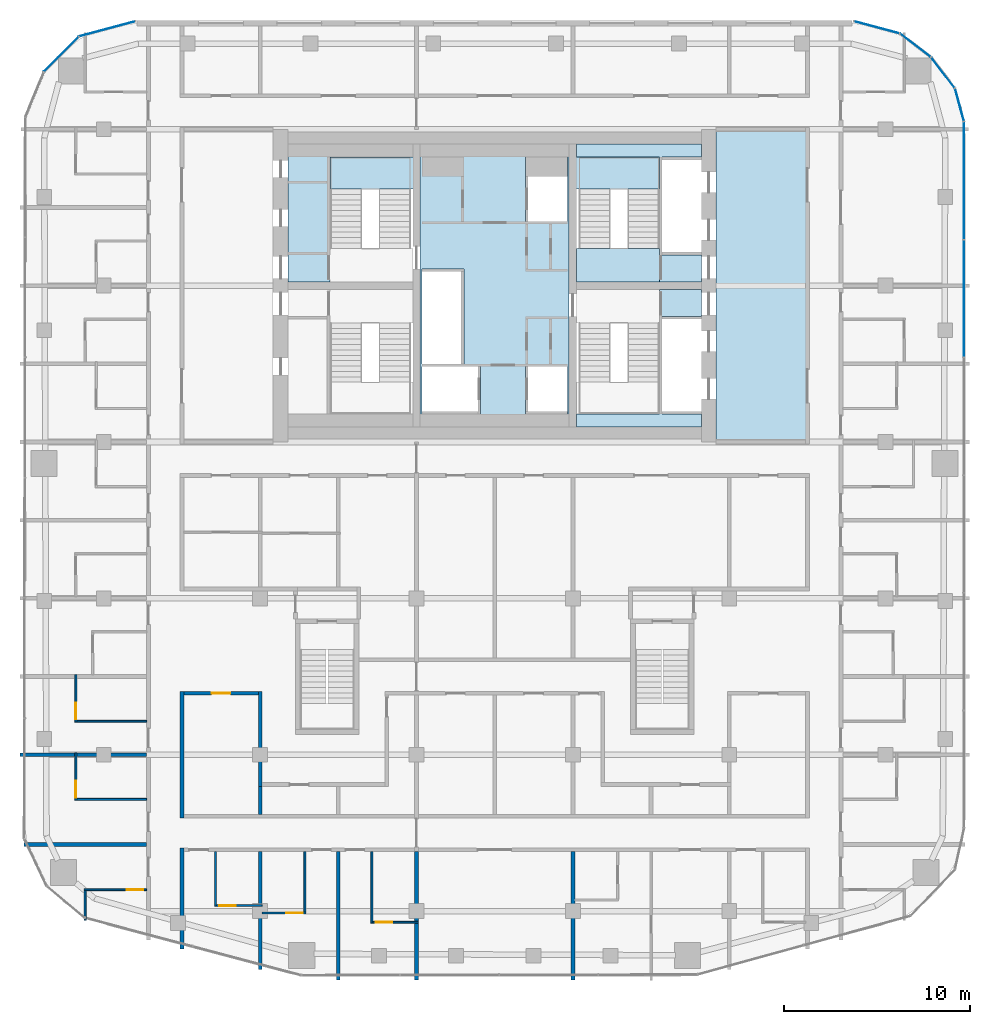
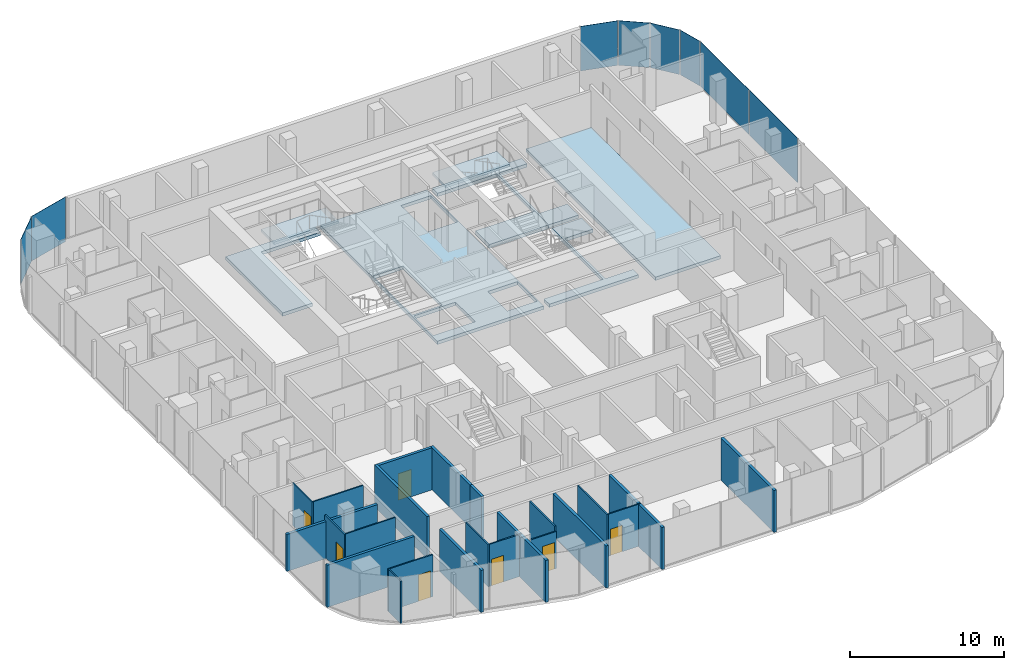
# One storey, part 13 of 22: 23 walls, 8 plates, 8 slabs, 7 doors, 7 openings, 9 elements without a shape of their own.
"""IFC4 building model written with IfcOpenShell, lengths in metres."""

from ifc_helpers import new_model, si_unit, direction, frame, frame_2d, origin, origin_2d, place, context, subcontext, project, spatial, polyline, rectangle, outline, extrude, material, layer, layer_set, type_object, element, fill, aggregate, save


model = new_model("IFC4")

# Units and contexts
model_context = context("Model", 3, precision=1e-05, world=origin(), true_north=direction((0.0, 1.0)))
body_context = subcontext(model_context, "Body", "Model", "MODEL_VIEW")
ifc_project = project(units=[si_unit("LENGTHUNIT", "METRE"), si_unit("AREAUNIT", "SQUARE_METRE"), si_unit("VOLUMEUNIT", "CUBIC_METRE"), si_unit("PLANEANGLEUNIT", "RADIAN"), si_unit("MASSUNIT", "GRAM", prefix="KILO")], contexts=[model_context])

# Site, building, storey
site_placement = place(None, origin())
site = spatial("IfcSite", under=ifc_project, at=site_placement, CompositionType="ELEMENT")
building_placement = place(site_placement, origin())
building = spatial("IfcBuilding", under=site, at=building_placement, Name="Marenta Gate Hotel Tower", CompositionType="ELEMENT")
storey_placement = place(building_placement, frame((0.0, 0.0, 187.699951171875)))
storey = spatial("IfcBuildingStorey", under=building, at=storey_placement, Name="L42", CompositionType="ELEMENT", Elevation=187.699951171875)

# Slabs
ifc_material_1 = material(Name="Concrete C40", Category="concrete")
ifc_layer_1 = layer(ifc_material_1, 0.260009765625)
ifc_layer_set_1 = layer_set([ifc_layer_1], Name="Concrete C40")
slab_type_1 = type_object("IfcSlabType", Name="Core floor slab 260", PredefinedType="FLOOR", material=ifc_layer_set_1)
slab_1_placement = place(storey_placement, frame((0.0, 0.0, -0.260009765625)))
element("IfcSlab", 1, at=slab_1_placement, inside=storey, type_object=slab_type_1, Name="L42-CF-1", PredefinedType="FLOOR", context=body_context, shape_type="SweptSolid", body=[
    extrude(outline(polyline([(11.89990234375, 0.0), (11.89990234375, 16.800048828125), (16.800048828125, 16.800048828125), (16.800048828125, 0.0), (11.89990234375, 0.0)])), origin(), (0.0, 0.0, 1.0), 0.260009765625),
])
slab_2_placement = place(storey_placement, frame((0.0, 0.0, -0.260009765625)))
element("IfcSlab", 2, at=slab_2_placement, inside=storey, type_object=slab_type_1, Name="L42-CF-2", PredefinedType="FLOOR", context=body_context, shape_type="SweptSolid", body=[
    extrude(outline(polyline([(8.85009765625, 1.5), (8.85009765625, 6.39990234375), (8.85009765625, 8.10009765625), (8.85009765625, 8.199951171875), (11.10009765625, 8.199951171875), (11.10009765625, 6.75), (9.0, 6.75), (9.0, 6.60009765625), (9.0, 4.199951171875), (9.0, 4.050048828125), (9.0, 1.64990234375), (9.0, 1.5), (11.10009765625, 1.5), (11.10009765625, 0.800048828125), (4.39990234375, 0.800048828125), (4.39990234375, 1.5), (8.85009765625, 1.5)])), origin(), (0.0, 0.0, 1.0), 0.260009765625),
])
slab_3_placement = place(storey_placement, frame((0.0, 0.0, -0.260009765625)))
element("IfcSlab", 3, at=slab_3_placement, inside=storey, type_object=slab_type_1, Name="L42-CF-3", PredefinedType="FLOOR", context=body_context, shape_type="SweptSolid", body=[
    extrude(outline(polyline([(8.85009765625, 15.300048828125), (4.39990234375, 15.300048828125), (4.39990234375, 16.0), (11.10009765625, 16.0), (11.10009765625, 15.300048828125), (9.0, 15.300048828125), (9.0, 15.14990234375), (9.0, 12.75), (9.0, 12.60009765625), (9.0, 10.199951171875), (9.0, 10.050048828125), (11.10009765625, 10.050048828125), (11.10009765625, 8.60009765625), (8.85009765625, 8.60009765625), (8.85009765625, 8.699951171875), (8.85009765625, 10.39990234375), (8.85009765625, 15.300048828125)])), origin(), (0.0, 0.0, 1.0), 0.260009765625),
])
slab_4_placement = place(storey_placement, frame((0.0, 0.0, -0.260009765625)))
element("IfcSlab", 4, at=slab_4_placement, inside=storey, type_object=slab_type_1, Name="L42-CF-4", PredefinedType="FLOOR", context=body_context, shape_type="SweptSolid", body=[
    extrude(outline(polyline([(4.0, 15.300048828125), (4.0, 10.39990234375), (4.0, 6.39990234375), (4.0, 1.5), (4.0, 0.800048828125), (-4.0, 0.800048828125), (-4.0, 1.5), (-4.0, 6.39990234375), (-4.0, 10.39990234375), (-4.0, 15.300048828125), (-4.0, 16.0), (4.0, 16.0), (4.0, 15.300048828125)]), holes=[polyline([(1.64990234375, 14.25), (1.64990234375, 11.85009765625), (1.800048828125, 11.85009765625), (3.89990234375, 11.85009765625), (3.89990234375, 14.25), (3.89990234375, 15.300048828125), (1.64990234375, 15.300048828125), (1.64990234375, 14.25)]), polyline([(3.89990234375, 1.64990234375), (3.89990234375, 4.050048828125), (1.800048828125, 4.050048828125), (1.64990234375, 4.050048828125), (1.64990234375, 1.64990234375), (1.64990234375, 1.5), (3.89990234375, 1.5), (3.89990234375, 1.64990234375)]), polyline([(-3.89990234375, 1.64990234375), (-3.89990234375, 1.5), (-0.89990234375, 1.5), (-0.75, 1.5), (-0.75, 4.050048828125), (-0.89990234375, 4.050048828125), (-3.89990234375, 4.050048828125), (-3.89990234375, 1.64990234375)]), polyline([(-1.800048828125, 4.199951171875), (-1.64990234375, 4.199951171875), (-1.64990234375, 9.14990234375), (-1.64990234375, 9.300048828125), (-3.89990234375, 9.300048828125), (-3.89990234375, 9.14990234375), (-3.89990234375, 6.75), (-3.89990234375, 6.60009765625), (-3.89990234375, 4.199951171875), (-1.800048828125, 4.199951171875)])]), origin(), (0.0, 0.0, 1.0), 0.260009765625),
])
slab_5_placement = place(storey_placement, frame((0.0, 0.0, -0.260009765625)))
element("IfcSlab", 5, at=slab_5_placement, inside=storey, type_object=slab_type_1, Name="L42-CF-6", PredefinedType="FLOOR", context=body_context, shape_type="SweptSolid", body=[
    extrude(outline(polyline([(-4.39990234375, 15.300048828125), (-8.85009765625, 15.300048828125), (-8.85009765625, 10.39990234375), (-8.85009765625, 8.699951171875), (-8.85009765625, 8.60009765625), (-11.10009765625, 8.60009765625), (-11.10009765625, 16.0), (-4.39990234375, 16.0), (-4.39990234375, 15.300048828125)])), origin(), (0.0, 0.0, 1.0), 0.260009765625),
])

# Stair, slab
ifc_material_2 = material(Name="Concrete C40", Category="concrete")
stair_type = type_object("IfcStairType", Name="Core exit stair 1700 wide", PredefinedType="HALF_TURN_STAIR", material=ifc_material_2)
stair_1_placement = place(storey_placement, origin())
stair_1 = element("IfcStair", 6, at=stair_1_placement, inside=storey, type_object=stair_type, Name="Exit stair 2", PredefinedType="HALF_TURN_STAIR")
ifc_material_3 = material(Name="Concrete C40", Category="concrete")
ifc_layer_2 = layer(ifc_material_3, 0.199951171875)
ifc_layer_set_2 = layer_set([ifc_layer_2], Name="Concrete C40")
slab_type_2 = type_object("IfcSlabType", Name="Core stair landing 200", PredefinedType="LANDING", material=ifc_layer_set_2)
slab_6_placement = place(storey_placement, frame((0.0, 0.0, 1.60009765625)))
slab_6 = element("IfcSlab", 7, at=slab_6_placement, type_object=slab_type_2, Name="SL-200 ST2 landing 1", PredefinedType="LANDING", context=body_context, shape_type="SweptSolid", body=[
    extrude(outline(polyline([(-8.85009765625, 13.590087890625), (-4.0, 13.590087890625), (-4.0, 15.300048828125), (-8.85009765625, 15.300048828125), (-8.85009765625, 13.590087890625)])), origin(), (0.0, 0.0, 1.0), 0.199951171875),
])
aggregate(stair_1, [slab_6])

stair_2_placement = place(storey_placement, origin())
stair_2 = element("IfcStair", 8, at=stair_2_placement, inside=storey, type_object=stair_type, Name="Exit stair 4", PredefinedType="HALF_TURN_STAIR")
slab_7_placement = place(storey_placement, frame((0.0, 0.0, 1.60009765625)))
slab_7 = element("IfcSlab", 9, at=slab_7_placement, type_object=slab_type_2, Name="SL-200 ST4 landing 1", PredefinedType="LANDING", context=body_context, shape_type="SweptSolid", body=[
    extrude(outline(polyline([(4.0, 13.590087890625), (8.85009765625, 13.590087890625), (8.85009765625, 15.300048828125), (4.0, 15.300048828125), (4.0, 13.590087890625)])), origin(), (0.0, 0.0, 1.0), 0.199951171875),
])
aggregate(stair_2, [slab_7])

# Curtain wall, plate
ifc_material_4 = material(Name="Tinted insulated glass in bronze anodised frame", Category="glass")
ifc_layer_3 = layer(ifc_material_4, 0.1201171875)
ifc_layer_set_3 = layer_set([ifc_layer_3], Name="Tinted insulated glass in bronze anodised frame")
curtain_wall_type = type_object("IfcCurtainWallType", Name="Tower unitised curtain wall CW1", PredefinedType="NOTDEFINED", material=ifc_layer_set_3)
curtain_wall_1_placement = place(storey_placement, origin())
curtain_wall_1 = element("IfcCurtainWall", 10, at=curtain_wall_1_placement, inside=storey, type_object=curtain_wall_type, Name="CW1 run G00", PredefinedType="NOTDEFINED")
ifc_material_5 = material(Name="Tinted insulated glass", Category="glass")
ifc_layer_4 = layer(ifc_material_5, 0.028076171875)
ifc_layer_set_4 = layer_set([ifc_layer_4], Name="Tinted insulated glass")
plate_type = type_object("IfcPlateType", Name="Glass panel CW1 28 mm tinted insulated unit", PredefinedType="CURTAIN_PANEL", material=ifc_layer_set_4)
plate_1_placement = place(storey_placement, frame((-20.813720703125, 22.19384765625, 0.06005859375), z_axis=(0.0, 0.0, 1.0), x_axis=(-0.965930559685, -0.258801379183, 0.0)))
plate_1 = element("IfcPlate", 11, at=plate_1_placement, type_object=plate_type, Name="CW1 panel 1.1", PredefinedType="CURTAIN_PANEL", context=body_context, shape_type="SweptSolid", body=[
    extrude(rectangle(XDim=3.104248046875, YDim=0.028076171875, at=origin_2d()), origin(), (0.0, 0.0, 1.0), 3.5400390625),
])
aggregate(curtain_wall_1, [plate_1])

curtain_wall_2_placement = place(storey_placement, origin())
curtain_wall_2 = element("IfcCurtainWall", 12, at=curtain_wall_2_placement, inside=storey, type_object=curtain_wall_type, Name="CW1 run G01", PredefinedType="NOTDEFINED")
plate_2_placement = place(storey_placement, frame((-23.279541015625, 20.825439453125, 0.06005859375), z_axis=(0.0, 0.0, 1.0), x_axis=(-0.707106781187, -0.707106781187, 0.0)))
plate_2 = element("IfcPlate", 13, at=plate_2_placement, type_object=plate_type, Name="CW1 panel 1.1", PredefinedType="CURTAIN_PANEL", context=body_context, shape_type="SweptSolid", body=[
    extrude(rectangle(XDim=2.614013671875, YDim=0.028076171875, at=origin_2d()), origin(), (0.0, 0.0, 1.0), 3.5400390625),
])
aggregate(curtain_wall_2, [plate_2])

# Curtain wall, plates
curtain_wall_3_placement = place(storey_placement, origin())
curtain_wall_3 = element("IfcCurtainWall", 14, at=curtain_wall_3_placement, inside=storey, type_object=curtain_wall_type, Name="CW1 run G11", PredefinedType="NOTDEFINED")
plate_3_placement = place(storey_placement, frame((25.214111328125, 7.7080078125, 0.06005859375), z_axis=(0.0, 0.0, 1.0), x_axis=(0.0, 1.0, 0.0)))
plate_3 = element("IfcPlate", 15, at=plate_3_placement, type_object=plate_type, Name="CW1 panel 5.1", PredefinedType="CURTAIN_PANEL", context=body_context, shape_type="SweptSolid", body=[
    extrude(rectangle(XDim=6.2626953125, YDim=0.028076171875, at=origin_2d()), origin(), (0.0, 0.0, 1.0), 3.5400390625),
])
plate_4_placement = place(storey_placement, frame((25.214111328125, 14.045654296875, 0.06005859375), z_axis=(0.0, 0.0, 1.0), x_axis=(0.0, 1.0, 0.0)))
plate_4 = element("IfcPlate", 16, at=plate_4_placement, type_object=plate_type, Name="CW1 panel 6.1", PredefinedType="CURTAIN_PANEL", context=body_context, shape_type="SweptSolid", body=[
    extrude(rectangle(XDim=6.29248046875, YDim=0.028076171875, at=origin_2d()), origin(), (0.0, 0.0, 1.0), 3.5400390625),
])
aggregate(curtain_wall_3, [plate_3, plate_4])

# Curtain wall, plate
curtain_wall_4_placement = place(storey_placement, origin())
curtain_wall_4 = element("IfcCurtainWall", 17, at=curtain_wall_4_placement, inside=storey, type_object=curtain_wall_type, Name="CW1 run G12", PredefinedType="NOTDEFINED")
plate_5_placement = place(storey_placement, frame((24.96630859375, 18.1162109375, 0.06005859375), z_axis=(0.0, 0.0, 1.0), x_axis=(-0.258824166754, 0.965924453932, 0.0)))
plate_5 = element("IfcPlate", 18, at=plate_5_placement, type_object=plate_type, Name="CW1 panel 1.1", PredefinedType="CURTAIN_PANEL", context=body_context, shape_type="SweptSolid", body=[
    extrude(rectangle(XDim=1.793701171875, YDim=0.028076171875, at=origin_2d()), origin(), (0.0, 0.0, 1.0), 3.5400390625),
])
aggregate(curtain_wall_4, [plate_5])

curtain_wall_5_placement = place(storey_placement, origin())
curtain_wall_5 = element("IfcCurtainWall", 19, at=curtain_wall_5_placement, inside=storey, type_object=curtain_wall_type, Name="CW1 run G13", PredefinedType="NOTDEFINED")
plate_6_placement = place(storey_placement, frame((24.0751953125, 19.84130859375, 0.06005859375), z_axis=(0.0, 0.0, 1.0), x_axis=(-0.608787499222, 0.793333335233, 0.0)))
plate_6 = element("IfcPlate", 20, at=plate_6_placement, type_object=plate_type, Name="CW1 panel 1.1", PredefinedType="CURTAIN_PANEL", context=body_context, shape_type="SweptSolid", body=[
    extrude(rectangle(XDim=2.045166015625, YDim=0.028076171875, at=origin_2d()), origin(), (0.0, 0.0, 1.0), 3.5400390625),
])
aggregate(curtain_wall_5, [plate_6])

curtain_wall_6_placement = place(storey_placement, origin())
curtain_wall_6 = element("IfcCurtainWall", 21, at=curtain_wall_6_placement, inside=storey, type_object=curtain_wall_type, Name="CW1 run G14", PredefinedType="NOTDEFINED")
plate_7_placement = place(storey_placement, frame((22.59375, 21.311767578125, 0.06005859375), z_axis=(0.0, 0.0, 1.0), x_axis=(-0.793333335233, 0.608787499222, 0.0)))
plate_7 = element("IfcPlate", 22, at=plate_7_placement, type_object=plate_type, Name="CW1 panel 1.1", PredefinedType="CURTAIN_PANEL", context=body_context, shape_type="SweptSolid", body=[
    extrude(rectangle(XDim=2.045166015625, YDim=0.028076171875, at=origin_2d()), origin(), (0.0, 0.0, 1.0), 3.5400390625),
])
aggregate(curtain_wall_6, [plate_7])

curtain_wall_7_placement = place(storey_placement, origin())
curtain_wall_7 = element("IfcCurtainWall", 23, at=curtain_wall_7_placement, inside=storey, type_object=curtain_wall_type, Name="CW1 run G15", PredefinedType="NOTDEFINED")
plate_8_placement = place(storey_placement, frame((20.51953125, 22.272705078125, 0.06005859375), z_axis=(0.0, 0.0, 1.0), x_axis=(-0.96592961764, 0.258804895175, 0.0)))
plate_8 = element("IfcPlate", 24, at=plate_8_placement, type_object=plate_type, Name="CW1 panel 1.1", PredefinedType="CURTAIN_PANEL", context=body_context, shape_type="SweptSolid", body=[
    extrude(rectangle(XDim=2.4951171875, YDim=0.028076171875, at=origin_2d()), origin(), (0.0, 0.0, 1.0), 3.5400390625),
])
aggregate(curtain_wall_7, [plate_8])

# Slab
ifc_material_6 = material(Name="Concrete C40", Category="concrete")
ifc_layer_5 = layer(ifc_material_6, 0.300048828125)
ifc_layer_set_5 = layer_set([ifc_layer_5], Name="Concrete C40")
slab_type_3 = type_object("IfcSlabType", Name="Stair floor landing slab 300", PredefinedType="FLOOR", material=ifc_layer_set_5)
slab_8_placement = place(storey_placement, frame((0.0, 0.0, -0.300048828125)))
element("IfcSlab", 25, at=slab_8_placement, inside=storey, type_object=slab_type_3, Name="L42-CL-ST4-1", PredefinedType="FLOOR", context=body_context, shape_type="SweptSolid", body=[
    extrude(outline(polyline([(4.39990234375, 8.60009765625), (4.39990234375, 10.39990234375), (8.85009765625, 10.39990234375), (8.85009765625, 8.699951171875), (8.85009765625, 8.60009765625), (4.39990234375, 8.60009765625)])), origin(), (0.0, 0.0, 1.0), 0.300048828125),
])

# Wall
ifc_material_7 = material(Name="Concrete blockwork", Category="masonry")
ifc_layer_6 = layer(ifc_material_7, 0.199951171875)
ifc_layer_set_6 = layer_set([ifc_layer_6], Name="Concrete blockwork")
wall_type_1 = type_object("IfcWallType", Name="Compartment wall 200 REI 180", PredefinedType="PARTITIONING", material=ifc_layer_set_6)
wall_1_placement = place(storey_placement, frame((-4.199951171875, -28.89990234375, 0.0), z_axis=(0.0, 0.0, 1.0), x_axis=(0.0, 1.0, 0.0)))
element("IfcWall", 26, at=wall_1_placement, inside=storey, type_object=wall_type_1, Name="L42-PTN-W079", PredefinedType="PARTITIONING", context=body_context, shape_type="SweptSolid", body=[
    extrude(rectangle(XDim=6.89990234375, YDim=0.199951171875, at=frame_2d((3.449951171875, 0.0))), origin(), (0.0, 0.0, 1.0), 3.340087890625),
])

# Wall, opening, door
ifc_material_8 = material(Name="Gypsum board on steel stud", Category="steel")
ifc_layer_7 = layer(ifc_material_8, 0.199951171875)
ifc_layer_set_7 = layer_set([ifc_layer_7], Name="Gypsum board on steel stud")
wall_type_2 = type_object("IfcWallType", Name="Room corridor wall 200 EI 60", PredefinedType="PARTITIONING", material=ifc_layer_set_7)
wall_2_placement = place(storey_placement, frame((-16.699951171875, -13.5, 0.0), z_axis=(0.0, 0.0, 1.0), x_axis=(1.0, 0.0, 0.0)))
wall_2 = element("IfcWall", 27, at=wall_2_placement, inside=storey, type_object=wall_type_2, Name="L42-PTN-W035", PredefinedType="PARTITIONING", context=body_context, shape_type="SweptSolid", body=[
    extrude(rectangle(XDim=4.0, YDim=0.199951171875, at=frame_2d((2.0, 0.0))), origin(), (0.0, 0.0, 1.0), 3.340087890625),
])
opening_1_placement = place(wall_2_placement, frame((1.5, 0.0, 0.0)))
opening_1 = element("IfcOpeningElement", 28, at=opening_1_placement, cuts=wall_2, Name="Opening G15-10", PredefinedType="OPENING", context=body_context, shape_type="SweptSolid", body=[
    extrude(rectangle(XDim=1.0, YDim=2.10009765625, at=frame_2d((0.5, 1.050048828125))), frame((0.0, 0.10009765625, 0.0), z_axis=(0.0, -1.0, 0.0), x_axis=(1.0, 0.0, 0.0)), (0.0, 0.0, 1.0), 0.199951171875),
])
ifc_material_9 = material(Name="Timber door leaf", Category="wood")
door_type_1 = type_object("IfcDoorType", Name="Room amenity door 1000x2100 EI 30", OperationType="NOTDEFINED", PredefinedType="DOOR", material=ifc_material_9)
door_1_placement = place(opening_1_placement, origin())
door_1 = element("IfcDoor", 29, at=door_1_placement, inside=storey, type_object=door_type_1, Name="L42-PD-D010", OperationType="SINGLE_SWING_RIGHT", OverallHeight=2.10009765625, OverallWidth=1.0, PredefinedType="DOOR", context=body_context, shape_type="SweptSolid", body=[
    extrude(rectangle(XDim=1.0, YDim=2.10009765625, at=frame_2d((0.5, 1.050048828125))), frame((0.0, 0.02490234375, 0.0), z_axis=(0.0, -1.0, 0.0), x_axis=(1.0, 0.0, 0.0)), (0.0, 0.0, 1.0), 0.050048828125),
])
fill(opening_1, door_1)

# Walls
wall_3_placement = place(storey_placement, frame((-12.60009765625, -18.5, 0.0), z_axis=(0.0, 0.0, 1.0), x_axis=(0.0, 1.0, 0.0)))
element("IfcWall", 30, at=wall_3_placement, inside=storey, type_object=wall_type_2, Name="L42-PTN-W102", PredefinedType="PARTITIONING", context=body_context, shape_type="SweptSolid", body=[
    extrude(rectangle(XDim=5.10009765625, YDim=0.199951171875, at=frame_2d((2.550048828125, 0.0))), origin(), (0.0, 0.0, 1.0), 3.340087890625),
])
wall_4_placement = place(storey_placement, frame((-16.800048828125, -27.22900390625, 0.0), z_axis=(0.0, 0.0, 1.0), x_axis=(0.0, 1.0, 0.0)))
element("IfcWall", 31, at=wall_4_placement, inside=storey, type_object=wall_type_2, Name="L42-PTN-W106", PredefinedType="PARTITIONING", context=body_context, shape_type="SweptSolid", body=[
    extrude(rectangle(XDim=5.428955078125, YDim=0.199951171875, at=frame_2d((2.71435546875, 0.0))), origin(), (0.0, 0.0, 1.0), 3.340087890625),
])
wall_5_placement = place(storey_placement, frame((-16.800048828125, -20.199951171875, 0.0), z_axis=(0.0, 0.0, 1.0), x_axis=(0.0, 1.0, 0.0)))
element("IfcWall", 32, at=wall_5_placement, inside=storey, type_object=wall_type_2, Name="L42-PTN-W107", PredefinedType="PARTITIONING", context=body_context, shape_type="SweptSolid", body=[
    extrude(rectangle(XDim=6.800048828125, YDim=0.199951171875, at=frame_2d((3.39990234375, 0.0))), origin(), (0.0, 0.0, 1.0), 3.340087890625),
])

# Wall, opening, door
ifc_material_10 = material(Name="Gypsum board on steel stud", Category="steel")
ifc_layer_8 = layer(ifc_material_10, 0.10009765625)
ifc_layer_set_8 = layer_set([ifc_layer_8], Name="Gypsum board on steel stud")
wall_type_3 = type_object("IfcWallType", Name="Room partition 100", PredefinedType="PARTITIONING", material=ifc_layer_set_8)
wall_6_placement = place(storey_placement, frame((-6.550048828125, -25.800048828125, 0.0), z_axis=(0.0, 0.0, 1.0), x_axis=(1.0, 0.0, 0.0)))
wall_6 = element("IfcWall", 33, at=wall_6_placement, inside=storey, type_object=wall_type_3, Name="L42-PTN-W001", PredefinedType="PARTITIONING", context=body_context, shape_type="SweptSolid", body=[
    extrude(rectangle(XDim=2.449951171875, YDim=0.10009765625, at=frame_2d((1.22509765625, 0.0))), origin(), (0.0, 0.0, 1.0), 3.340087890625),
])
opening_2_placement = place(wall_6_placement, frame((0.14990234375, 0.0, 0.0)))
opening_2 = element("IfcOpeningElement", 34, at=opening_2_placement, cuts=wall_6, Name="Opening G15-47", PredefinedType="OPENING", context=body_context, shape_type="SweptSolid", body=[
    extrude(rectangle(XDim=0.89990234375, YDim=2.10009765625, at=frame_2d((0.449951171875, 1.050048828125))), frame((0.0, 0.050048828125, 0.0), z_axis=(0.0, -1.0, 0.0), x_axis=(1.0, 0.0, 0.0)), (0.0, 0.0, 1.0), 0.10009765625),
])
ifc_material_11 = material(Name="Timber door leaf", Category="wood")
door_type_2 = type_object("IfcDoorType", Name="Guest bathroom door 900x2100", OperationType="NOTDEFINED", PredefinedType="DOOR", material=ifc_material_11)
door_2_placement = place(opening_2_placement, origin())
door_2 = element("IfcDoor", 35, at=door_2_placement, inside=storey, type_object=door_type_2, Name="L42-PD-D047", OperationType="SINGLE_SWING_LEFT", OverallHeight=2.10009765625, OverallWidth=0.89990234375, PredefinedType="DOOR", context=body_context, shape_type="SweptSolid", body=[
    extrude(rectangle(XDim=0.89990234375, YDim=2.10009765625, at=frame_2d((0.449951171875, 1.050048828125))), frame((0.0, 0.02490234375, 0.0), z_axis=(0.0, -1.0, 0.0), x_axis=(1.0, 0.0, 0.0)), (0.0, 0.0, 1.0), 0.050048828125),
])
fill(opening_2, door_2)

wall_7_placement = place(storey_placement, frame((-12.5, -25.300048828125, 0.0), z_axis=(0.0, 0.0, 1.0), x_axis=(1.0, 0.0, 0.0)))
wall_7 = element("IfcWall", 36, at=wall_7_placement, inside=storey, type_object=wall_type_3, Name="L42-PTN-W003", PredefinedType="PARTITIONING", context=body_context, shape_type="SweptSolid", body=[
    extrude(rectangle(XDim=2.35009765625, YDim=0.10009765625, at=frame_2d((1.175048828125, 0.0))), origin(), (0.0, 0.0, 1.0), 2.93994140625),
])
opening_3_placement = place(wall_7_placement, frame((1.300048828125, 0.0, 0.0)))
opening_3 = element("IfcOpeningElement", 37, at=opening_3_placement, cuts=wall_7, Name="Opening G15-45", PredefinedType="OPENING", context=body_context, shape_type="SweptSolid", body=[
    extrude(rectangle(XDim=0.89990234375, YDim=2.10009765625, at=frame_2d((0.449951171875, 1.050048828125))), frame((0.0, 0.050048828125, 0.0), z_axis=(0.0, -1.0, 0.0), x_axis=(1.0, 0.0, 0.0)), (0.0, 0.0, 1.0), 0.10009765625),
])
door_3_placement = place(opening_3_placement, origin())
door_3 = element("IfcDoor", 38, at=door_3_placement, inside=storey, type_object=door_type_2, Name="L42-PD-D045", OperationType="SINGLE_SWING_RIGHT", OverallHeight=2.10009765625, OverallWidth=0.89990234375, PredefinedType="DOOR", context=body_context, shape_type="SweptSolid", body=[
    extrude(rectangle(XDim=0.89990234375, YDim=2.10009765625, at=frame_2d((0.449951171875, 1.050048828125))), frame((0.0, 0.02490234375, 0.0), z_axis=(0.0, -1.0, 0.0), x_axis=(1.0, 0.0, 0.0)), (0.0, 0.0, 1.0), 0.050048828125),
])
fill(opening_3, door_3)

wall_8_placement = place(storey_placement, frame((-14.949951171875, -24.89990234375, 0.0), z_axis=(0.0, 0.0, 1.0), x_axis=(1.0, 0.0, 0.0)))
wall_8 = element("IfcWall", 39, at=wall_8_placement, inside=storey, type_object=wall_type_3, Name="L42-PTN-W004", PredefinedType="PARTITIONING", context=body_context, shape_type="SweptSolid", body=[
    extrude(rectangle(XDim=2.449951171875, YDim=0.10009765625, at=frame_2d((1.22509765625, 0.0))), origin(), (0.0, 0.0, 1.0), 3.340087890625),
])
opening_4_placement = place(wall_8_placement, frame((0.14990234375, 0.0, 0.0)))
opening_4 = element("IfcOpeningElement", 40, at=opening_4_placement, cuts=wall_8, Name="Opening G15-43", PredefinedType="OPENING", context=body_context, shape_type="SweptSolid", body=[
    extrude(rectangle(XDim=0.89990234375, YDim=2.10009765625, at=frame_2d((0.449951171875, 1.050048828125))), frame((0.0, 0.050048828125, 0.0), z_axis=(0.0, -1.0, 0.0), x_axis=(1.0, 0.0, 0.0)), (0.0, 0.0, 1.0), 0.10009765625),
])
door_4_placement = place(opening_4_placement, origin())
door_4 = element("IfcDoor", 41, at=door_4_placement, inside=storey, type_object=door_type_2, Name="L42-PD-D043", OperationType="SINGLE_SWING_LEFT", OverallHeight=2.10009765625, OverallWidth=0.89990234375, PredefinedType="DOOR", context=body_context, shape_type="SweptSolid", body=[
    extrude(rectangle(XDim=0.89990234375, YDim=2.10009765625, at=frame_2d((0.449951171875, 1.050048828125))), frame((0.0, 0.02490234375, 0.0), z_axis=(0.0, -1.0, 0.0), x_axis=(1.0, 0.0, 0.0)), (0.0, 0.0, 1.0), 0.050048828125),
])
fill(opening_4, door_4)

wall_9_placement = place(storey_placement, frame((-22.050048828125, -24.051025390625, 0.0), z_axis=(0.0, 0.0, 1.0), x_axis=(1.0, 0.0, 0.0)))
wall_9 = element("IfcWall", 42, at=wall_9_placement, inside=storey, type_object=wall_type_3, Name="L42-PTN-W006", PredefinedType="PARTITIONING", context=body_context, shape_type="SweptSolid", body=[
    extrude(rectangle(XDim=3.35009765625, YDim=0.10009765625, at=frame_2d((1.675048828125, 0.0))), origin(), (0.0, 0.0, 1.0), 3.340087890625),
])
opening_5_placement = place(wall_9_placement, frame((2.280029296875, 0.0, 0.0)))
opening_5 = element("IfcOpeningElement", 43, at=opening_5_placement, cuts=wall_9, Name="Opening G15-55", PredefinedType="OPENING", context=body_context, shape_type="SweptSolid", body=[
    extrude(rectangle(XDim=0.89990234375, YDim=2.10009765625, at=frame_2d((0.449951171875, 1.050048828125))), frame((0.0, 0.050048828125, 0.0), z_axis=(0.0, -1.0, 0.0), x_axis=(1.0, 0.0, 0.0)), (0.0, 0.0, 1.0), 0.10009765625),
])
door_5_placement = place(opening_5_placement, origin())
door_5 = element("IfcDoor", 44, at=door_5_placement, inside=storey, type_object=door_type_2, Name="L42-PD-D055", OperationType="SINGLE_SWING_LEFT", OverallHeight=2.10009765625, OverallWidth=0.89990234375, PredefinedType="DOOR", context=body_context, shape_type="SweptSolid", body=[
    extrude(rectangle(XDim=0.89990234375, YDim=2.10009765625, at=frame_2d((0.449951171875, 1.050048828125))), frame((0.0, 0.02490234375, 0.0), z_axis=(0.0, -1.0, 0.0), x_axis=(1.0, 0.0, 0.0)), (0.0, 0.0, 1.0), 0.050048828125),
])
fill(opening_5, door_5)

# Walls
for number, where, z_axis, x_axis, name in (
    (45, (-22.449951171875, -19.199951171875, 0.0), (0.0, 0.0, 1.0), (1.0, 0.0, 0.0), "L42-PTN-W021"),
    (46, (-22.449951171875, -15.0, 0.0), (0.0, 0.0, 1.0), (1.0, 0.0, 0.0), "L42-PTN-W032"),
):
    element("IfcWall", number, at=place(storey_placement, frame(where, z_axis=z_axis, x_axis=x_axis)), inside=storey, type_object=wall_type_3, Name=name, PredefinedType="PARTITIONING", context=body_context, shape_type="SweptSolid", body=[
        extrude(rectangle(XDim=3.75, YDim=0.10009765625, at=frame_2d((1.875, 0.0))), origin(), (0.0, 0.0, 1.0), 3.340087890625),
    ])
wall_10_placement = place(storey_placement, frame((-6.60009765625, -25.85009765625, 0.0), z_axis=(0.0, 0.0, 1.0), x_axis=(0.0, 1.0, 0.0)))
element("IfcWall", 47, at=wall_10_placement, inside=storey, type_object=wall_type_3, Name="L42-PTN-W086", PredefinedType="PARTITIONING", context=body_context, shape_type="SweptSolid", body=[
    extrude(rectangle(XDim=3.85009765625, YDim=0.10009765625, at=frame_2d((1.925048828125, 0.0))), origin(), (0.0, 0.0, 1.0), 3.340087890625),
])
wall_11_placement = place(storey_placement, frame((-10.199951171875, -25.25, 0.0), z_axis=(0.0, 0.0, 1.0), x_axis=(0.0, 1.0, 0.0)))
element("IfcWall", 48, at=wall_11_placement, inside=storey, type_object=wall_type_3, Name="L42-PTN-W095", PredefinedType="PARTITIONING", context=body_context, shape_type="SweptSolid", body=[
    extrude(rectangle(XDim=3.25, YDim=0.10009765625, at=frame_2d((1.625, 0.0))), origin(), (0.0, 0.0, 1.0), 3.340087890625),
])
wall_12_placement = place(storey_placement, frame((-15.0, -24.949951171875, 0.0), z_axis=(0.0, 0.0, 1.0), x_axis=(0.0, 1.0, 0.0)))
element("IfcWall", 49, at=wall_12_placement, inside=storey, type_object=wall_type_3, Name="L42-PTN-W105", PredefinedType="PARTITIONING", context=body_context, shape_type="SweptSolid", body=[
    extrude(rectangle(XDim=2.949951171875, YDim=0.10009765625, at=frame_2d((1.47509765625, 0.0))), origin(), (0.0, 0.0, 1.0), 3.340087890625),
])
wall_13_placement = place(storey_placement, frame((-22.0, -25.68505859375, 0.0), z_axis=(0.0, 0.0, 1.0), x_axis=(0.0, 1.0, 0.0)))
element("IfcWall", 50, at=wall_13_placement, inside=storey, type_object=wall_type_3, Name="L42-PTN-W120", PredefinedType="PARTITIONING", context=body_context, shape_type="SweptSolid", body=[
    extrude(rectangle(XDim=1.583984375, YDim=0.10009765625, at=frame_2d((0.7919921875, 0.0))), origin(), (0.0, 0.0, 1.0), 3.340087890625),
])

# Wall, opening, door
wall_14_placement = place(storey_placement, frame((-22.5, -19.25, 0.0), z_axis=(0.0, 0.0, 1.0), x_axis=(0.0, 1.0, 0.0)))
wall_14 = element("IfcWall", 51, at=wall_14_placement, inside=storey, type_object=wall_type_3, Name="L42-PTN-W123", PredefinedType="PARTITIONING", context=body_context, shape_type="SweptSolid", body=[
    extrude(rectangle(XDim=2.550048828125, YDim=0.10009765625, at=frame_2d((1.27490234375, 0.0))), origin(), (0.0, 0.0, 1.0), 3.340087890625),
])
opening_6_placement = place(wall_14_placement, frame((0.14990234375, 0.0, 0.0)))
opening_6 = element("IfcOpeningElement", 52, at=opening_6_placement, cuts=wall_14, Name="Opening G15-57", PredefinedType="OPENING", context=body_context, shape_type="SweptSolid", body=[
    extrude(rectangle(XDim=0.89990234375, YDim=2.10009765625, at=frame_2d((0.449951171875, 1.050048828125))), frame((0.0, 0.050048828125, 0.0), z_axis=(0.0, -1.0, 0.0), x_axis=(1.0, 0.0, 0.0)), (0.0, 0.0, 1.0), 0.10009765625),
])
door_6_placement = place(opening_6_placement, origin())
door_6 = element("IfcDoor", 53, at=door_6_placement, inside=storey, type_object=door_type_2, Name="L42-PD-D057", OperationType="SINGLE_SWING_RIGHT", OverallHeight=2.10009765625, OverallWidth=0.89990234375, PredefinedType="DOOR", context=body_context, shape_type="SweptSolid", body=[
    extrude(rectangle(XDim=0.89990234375, YDim=2.10009765625, at=frame_2d((0.449951171875, 1.050048828125))), frame((0.0, 0.02490234375, 0.0), z_axis=(0.0, -1.0, 0.0), x_axis=(1.0, 0.0, 0.0)), (0.0, 0.0, 1.0), 0.050048828125),
])
fill(opening_6, door_6)

wall_15_placement = place(storey_placement, frame((-22.5, -15.050048828125, 0.0), z_axis=(0.0, 0.0, 1.0), x_axis=(0.0, 1.0, 0.0)))
wall_15 = element("IfcWall", 54, at=wall_15_placement, inside=storey, type_object=wall_type_3, Name="L42-PTN-W124", PredefinedType="PARTITIONING", context=body_context, shape_type="SweptSolid", body=[
    extrude(rectangle(XDim=2.550048828125, YDim=0.10009765625, at=frame_2d((1.27490234375, 0.0))), origin(), (0.0, 0.0, 1.0), 3.340087890625),
])
opening_7_placement = place(wall_15_placement, frame((0.14990234375, 0.0, 0.0)))
opening_7 = element("IfcOpeningElement", 55, at=opening_7_placement, cuts=wall_15, Name="Opening G15-59", PredefinedType="OPENING", context=body_context, shape_type="SweptSolid", body=[
    extrude(rectangle(XDim=0.89990234375, YDim=2.10009765625, at=frame_2d((0.449951171875, 1.050048828125))), frame((0.0, 0.050048828125, 0.0), z_axis=(0.0, -1.0, 0.0), x_axis=(1.0, 0.0, 0.0)), (0.0, 0.0, 1.0), 0.10009765625),
])
door_7_placement = place(opening_7_placement, origin())
door_7 = element("IfcDoor", 56, at=door_7_placement, inside=storey, type_object=door_type_2, Name="L42-PD-D059", OperationType="SINGLE_SWING_RIGHT", OverallHeight=2.10009765625, OverallWidth=0.89990234375, PredefinedType="DOOR", context=body_context, shape_type="SweptSolid", body=[
    extrude(rectangle(XDim=0.89990234375, YDim=2.10009765625, at=frame_2d((0.449951171875, 1.050048828125))), frame((0.0, 0.02490234375, 0.0), z_axis=(0.0, -1.0, 0.0), x_axis=(1.0, 0.0, 0.0)), (0.0, 0.0, 1.0), 0.050048828125),
])
fill(opening_7, door_7)

# Walls
ifc_material_12 = material(Name="Gypsum board on steel stud", Category="steel")
ifc_layer_9 = layer(ifc_material_12, 0.199951171875)
ifc_layer_set_9 = layer_set([ifc_layer_9], Name="Gypsum board on steel stud")
wall_type_4 = type_object("IfcWallType", Name="Room party wall 200 EI 60", PredefinedType="PARTITIONING", material=ifc_layer_set_9)
wall_16_placement = place(storey_placement, frame((-25.27587890625, -21.625, 0.0), z_axis=(0.0, 0.0, 1.0), x_axis=(1.0, 0.0, 0.0)))
element("IfcWall", 57, at=wall_16_placement, inside=storey, type_object=wall_type_4, Name="L42-PTN-W014", PredefinedType="PARTITIONING", context=body_context, shape_type="SweptSolid", body=[
    extrude(rectangle(XDim=6.575927734375, YDim=0.199951171875, at=frame_2d((3.2880859375, 0.0))), origin(), (0.0, 0.0, 1.0), 3.340087890625),
])
wall_17_placement = place(storey_placement, frame((-25.5, -16.800048828125, 0.0), z_axis=(0.0, 0.0, 1.0), x_axis=(1.0, 0.0, 0.0)))
element("IfcWall", 58, at=wall_17_placement, inside=storey, type_object=wall_type_4, Name="L42-PTN-W030", PredefinedType="PARTITIONING", context=body_context, shape_type="SweptSolid", body=[
    extrude(rectangle(XDim=6.800048828125, YDim=0.199951171875, at=frame_2d((3.39990234375, 0.0))), origin(), (0.0, 0.0, 1.0), 2.93994140625),
])
for number, where, z_axis, x_axis, name in (
    (59, (4.199951171875, -28.89990234375, 0.0), (0.0, 0.0, 1.0), (0.0, 1.0, 0.0), "L42-PTN-W064"),
    (60, (-8.39990234375, -28.89990234375, 0.0), (0.0, 0.0, 1.0), (0.0, 1.0, 0.0), "L42-PTN-W090"),
):
    element("IfcWall", number, at=place(storey_placement, frame(where, z_axis=z_axis, x_axis=x_axis)), inside=storey, type_object=wall_type_4, Name=name, PredefinedType="PARTITIONING", context=body_context, shape_type="SweptSolid", body=[
        extrude(rectangle(XDim=6.89990234375, YDim=0.199951171875, at=frame_2d((3.449951171875, 0.0))), origin(), (0.0, 0.0, 1.0), 3.340087890625),
    ])
wall_18_placement = place(storey_placement, frame((-12.60009765625, -28.343017578125, 0.0), z_axis=(0.0, 0.0, 1.0), x_axis=(0.0, 1.0, 0.0)))
element("IfcWall", 61, at=wall_18_placement, inside=storey, type_object=wall_type_4, Name="L42-PTN-W098", PredefinedType="PARTITIONING", context=body_context, shape_type="SweptSolid", body=[
    extrude(rectangle(XDim=6.343017578125, YDim=0.199951171875, at=frame_2d((3.17138671875, 0.0))), origin(), (0.0, 0.0, 1.0), 3.340087890625),
])
wall_19_placement = place(storey_placement, frame((-12.60009765625, -20.0, 0.0), z_axis=(0.0, 0.0, 1.0), x_axis=(0.0, 1.0, 0.0)))
element("IfcWall", 62, at=wall_19_placement, inside=storey, type_object=wall_type_4, Name="L42-PTN-W099", PredefinedType="PARTITIONING", context=body_context, shape_type="SweptSolid", body=[
    extrude(rectangle(XDim=1.5, YDim=0.199951171875, at=frame_2d((0.75, 0.0))), origin(), (0.0, 0.0, 1.0), 3.340087890625),
])

save(model, "model.ifc")
